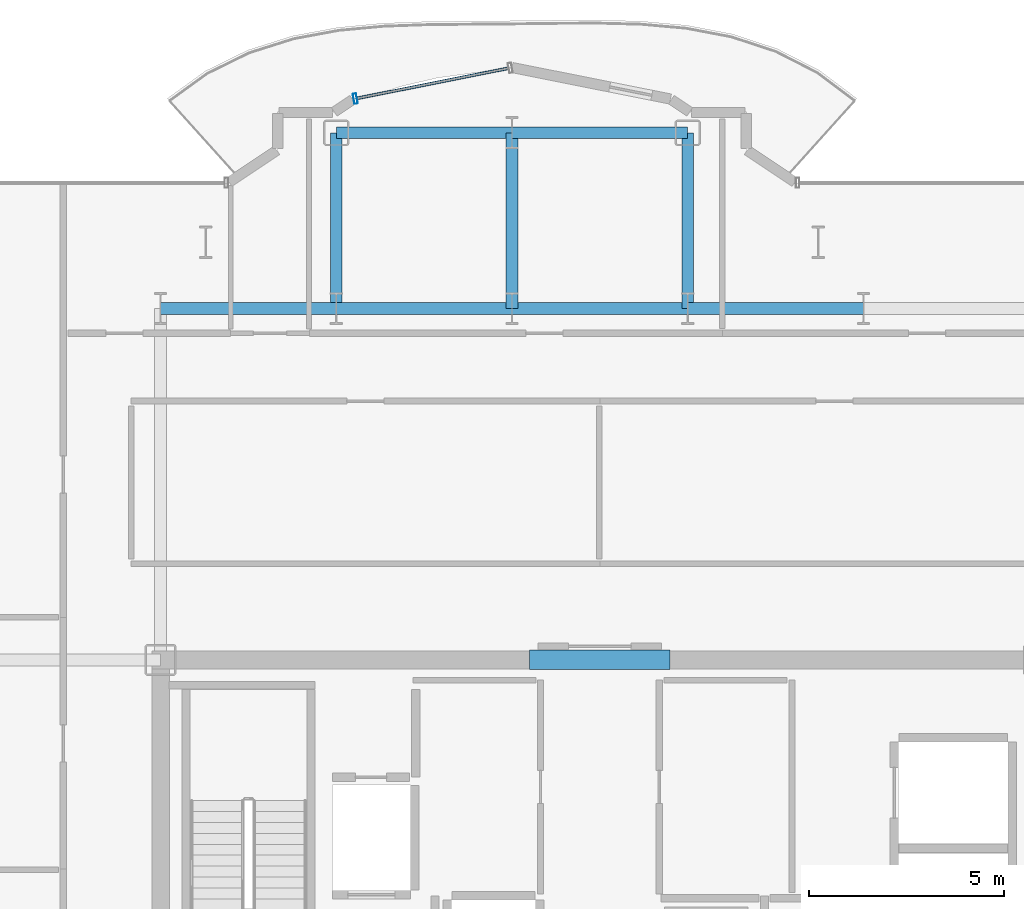
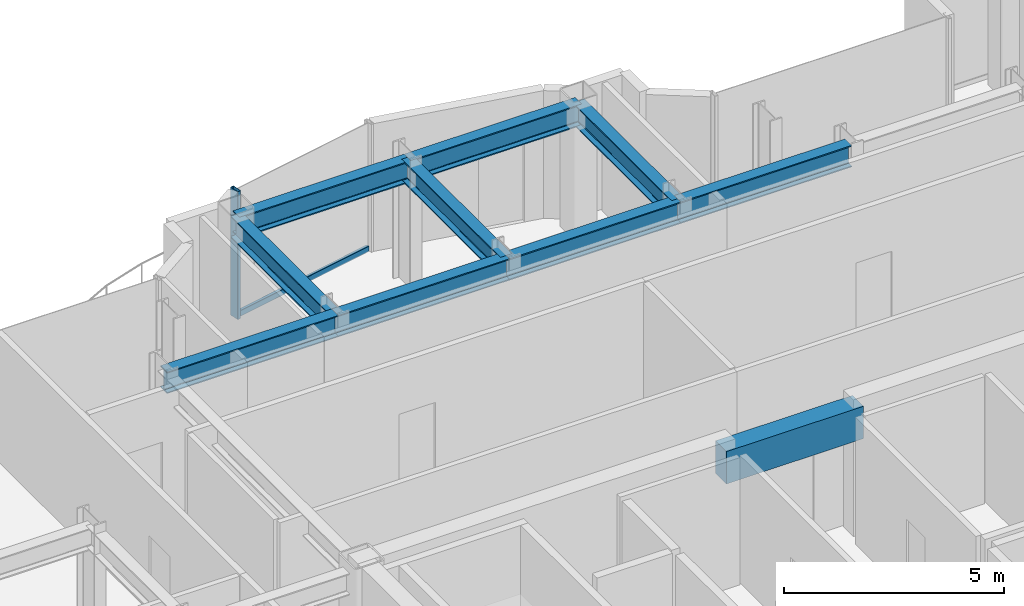
# One storey, part 9 of 20: 10 beams, 2 members, 1 element without a shape of its own.
"""IFC4 building model written with IfcOpenShell, lengths in metres."""

from ifc_helpers import new_model, si_unit, direction, frame, origin, origin_2d, place, context, subcontext, project, spatial, rectangle, hollow_rectangle, i_section, extrude, source, transform, mapped, material, layer, layer_set, material_profile, profile_set, type_object, element, aggregate, save


model = new_model("IFC4")

# Units and contexts
model_context = context("Model", 3, precision=1e-05, world=origin(), true_north=direction((0.0, 1.0)))
body_context = subcontext(model_context, "Body", "Model", "MODEL_VIEW")
ifc_project = project(units=[si_unit("LENGTHUNIT", "METRE"), si_unit("AREAUNIT", "SQUARE_METRE"), si_unit("VOLUMEUNIT", "CUBIC_METRE"), si_unit("PLANEANGLEUNIT", "RADIAN"), si_unit("MASSUNIT", "GRAM", prefix="KILO")], contexts=[model_context])

# Site, building, storey
site_placement = place(None, origin())
site = spatial("IfcSite", under=ifc_project, at=site_placement, CompositionType="ELEMENT")
building_placement = place(site_placement, origin())
building = spatial("IfcBuilding", under=site, at=building_placement, Name="Nefas-Gora Pilgrimage Tower", CompositionType="ELEMENT")
storey_placement = place(building_placement, frame((0.0, 0.0, 225.60009765625)))
storey = spatial("IfcBuildingStorey", under=building, at=storey_placement, Name="L56", CompositionType="ELEMENT", Elevation=225.60009765625)

# Beams
ifc_material_1 = material(Name="Concrete C50/60", Category="concrete")
ifc_material_profile_1 = material_profile(ifc_material_1, rectangle(XDim=0.5, YDim=0.89990234375, at=origin_2d()), Name="RC 500x900")
ifc_profile_set_1 = profile_set([ifc_material_profile_1], Name="Concrete C50/60")
beam_type_1 = type_object("IfcBeamType", Name="BM-LIN-RC900", PredefinedType="LINTEL", material=ifc_profile_set_1)
shared_shape_1 = source(origin(), body_context, "Body", "SweptSolid", [
    extrude(rectangle(XDim=0.5, YDim=0.89990234375, at=origin_2d()), origin(), (0.0, 0.0, 1.0), 3.60009765625),
])
beam_placement = place(storey_placement, frame((-1.800048828125, 9.0, 3.099853515625), z_axis=(1.0, 0.0, 0.0), x_axis=(0.0, 1.0, 0.0)))
element("IfcBeam", 1, at=beam_placement, inside=storey, type_object=beam_type_1, Name="L56 Core Coupling Lintel Beam N", PredefinedType="LINTEL", context=body_context, shape_type="MappedRepresentation", body=[
    mapped(shared_shape_1, transform((0.0, 0.0, 0.0), x_axis=(1.0, 0.0, 0.0), y_axis=(0.0, 1.0, 0.0), z_axis=(0.0, 0.0, 1.0), scale=1.0)),
])
ifc_material_2 = material(Name="Steel S355", Category="steel")
ifc_material_profile_2 = material_profile(ifc_material_2, i_section(OverallWidth=0.300048828125, OverallDepth=0.60009765625, WebThickness=0.015380859375, FlangeThickness=0.030029296875, FilletRadius=0.027099609375, at=origin_2d()), Name="HEB 600")
ifc_profile_set_2 = profile_set([ifc_material_profile_2], Name="Steel S355")
beam_type_2 = type_object("IfcBeamType", Name="BM-GIR-HEB600", PredefinedType="BEAM", material=ifc_profile_set_2)
shared_shape_2 = source(origin(), body_context, "Body", "SweptSolid", [
    extrude(i_section(OverallWidth=0.300048828125, OverallDepth=0.60009765625, WebThickness=0.015380859375, FlangeThickness=0.030029296875, FilletRadius=0.027099609375, at=origin_2d()), origin(), (0.0, 0.0, 1.0), 4.5),
])
for number, where, z_axis, x_axis, name in (
    (2, (-11.25, 18.0, 3.25), (1.0, 0.0, 0.0), (0.0, 1.0, 0.0), "L56 G-04 beam"),
    (3, (-6.75, 18.0, 3.25), (0.0, 1.0, 0.0), (-1.0, 0.0, 0.0), "L56 G-04 beam"),
    (4, (-6.75, 18.0, 3.25), (1.0, 0.0, 0.0), (0.0, 1.0, 0.0), "L56 G-04 beam"),
    (5, (-6.75, 22.5, 3.25), (1.0, 0.0, 0.0), (0.0, 1.0, 0.0), "L56 G-04 beam"),
    (6, (-2.25, 18.0, 3.25), (0.0, 1.0, 0.0), (-1.0, 0.0, 0.0), "L56 G-04 beam"),
    (7, (-2.25, 18.0, 3.25), (1.0, 0.0, 0.0), (0.0, 1.0, 0.0), "L56 G-04 beam"),
    (8, (-2.25, 22.5, 3.25), (1.0, 0.0, 0.0), (0.0, 1.0, 0.0), "L56 G-04 beam"),
    (9, (2.25, 18.0, 3.25), (0.0, 1.0, 0.0), (-1.0, 0.0, 0.0), "L56 G-04 beam"),
    (10, (2.25, 18.0, 3.25), (1.0, 0.0, 0.0), (0.0, 1.0, 0.0), "L56 G-04 beam"),
):
    element("IfcBeam", number, at=place(storey_placement, frame(where, z_axis=z_axis, x_axis=x_axis)), inside=storey, type_object=beam_type_2, Name=name, PredefinedType="BEAM", context=body_context, shape_type="MappedRepresentation", body=[
        mapped(shared_shape_2, transform((0.0, 0.0, 0.0), x_axis=(1.0, 0.0, 0.0), y_axis=(0.0, 1.0, 0.0), z_axis=(0.0, 0.0, 1.0), scale=1.0)),
    ])

# Curtain wall, members
ifc_material_3 = material(Name="Dark ceramic-fritted solar-control aluminium-glass curtain wall", Category="aluminium")
ifc_layer = layer(ifc_material_3, 0.219970703125)
ifc_layer_set = layer_set([ifc_layer], Name="Dark ceramic-fritted solar-control aluminium-glass curtain wall")
curtain_wall_type = type_object("IfcCurtainWallType", Name="CW-SYS-5", PredefinedType="NOTDEFINED", material=ifc_layer_set)
curtain_wall_placement = place(storey_placement, origin())
curtain_wall = element("IfcCurtainWall", 11, at=curtain_wall_placement, inside=storey, type_object=curtain_wall_type, Name="L56 Unitised Curtain Wall CW5", PredefinedType="NOTDEFINED")
ifc_material_4 = material(Name="Anodised architectural aluminium", Category="aluminium")
ifc_material_profile_3 = material_profile(ifc_material_4, hollow_rectangle(XDim=0.080078125, YDim=0.159912109375, WallThickness=0.00439453125, InnerFilletRadius=0.00439453125, OuterFilletRadius=0.009033203125, at=origin_2d()), Name="ALU TRANSOM 80x160")
ifc_profile_set_3 = profile_set([ifc_material_profile_3], Name="Anodised architectural aluminium")
member_type_1 = type_object("IfcMemberType", Name="CWM-TRN-5", PredefinedType="USERDEFINED", material=ifc_profile_set_3)
shared_shape_3 = source(origin(), body_context, "Body", "SweptSolid", [
    extrude(hollow_rectangle(XDim=0.080078125, YDim=0.159912109375, WallThickness=0.00439453125, InnerFilletRadius=0.00439453125, OuterFilletRadius=0.009033203125, at=origin_2d()), origin(), (0.0, 0.0, 1.0), 3.95654296875),
])
member_1_placement = place(storey_placement, frame((-2.33837890625, 24.15478515625, 0.0498046875), z_axis=(-0.980781880918, -0.195107411605, 0.0), x_axis=(0.195107411605, -0.980781880918, 0.0)))
member_1 = element("IfcMember", 12, at=member_1_placement, type_object=member_type_1, Name="CW5 Spandrel Transom", ObjectType="TRANSOM", PredefinedType="USERDEFINED", context=body_context, shape_type="MappedRepresentation", body=[
    mapped(shared_shape_3, transform((0.0, 0.0, 0.0), x_axis=(1.0, 0.0, 0.0), y_axis=(0.0, 1.0, 0.0), z_axis=(0.0, 0.0, 1.0), scale=1.0)),
])
ifc_material_profile_4 = material_profile(ifc_material_4, hollow_rectangle(XDim=0.090087890625, YDim=0.260009765625, WallThickness=0.006103515625, InnerFilletRadius=0.006103515625, OuterFilletRadius=0.011962890625, at=origin_2d()), Name="ALU MULLION 90x260")
ifc_profile_set_4 = profile_set([ifc_material_profile_4], Name="Anodised architectural aluminium")
member_type_2 = type_object("IfcMemberType", Name="CWM-MUL-5", PredefinedType="MULLION", material=ifc_profile_set_4)
shared_shape_4 = source(origin(), body_context, "Body", "SweptSolid", [
    extrude(hollow_rectangle(XDim=0.090087890625, YDim=0.260009765625, WallThickness=0.006103515625, InnerFilletRadius=0.006103515625, OuterFilletRadius=0.011962890625, at=origin_2d()), origin(), (0.0, 0.0, 1.0), 3.5498046875),
])
member_2_placement = place(storey_placement, frame((-6.26318359375, 23.3740234375, 0.0), z_axis=(0.0, 0.0, 1.0), x_axis=(-0.980782896852, -0.195102304554, 0.0)))
member_2 = element("IfcMember", 13, at=member_2_placement, type_object=member_type_2, Name="CW5 Mullion 2", PredefinedType="MULLION", context=body_context, shape_type="MappedRepresentation", body=[
    mapped(shared_shape_4, transform((0.0, 0.0, 0.0), x_axis=(1.0, 0.0, 0.0), y_axis=(0.0, 1.0, 0.0), z_axis=(0.0, 0.0, 1.0), scale=1.0)),
])
aggregate(curtain_wall, [member_2, member_1])

save(model, "model.ifc")
